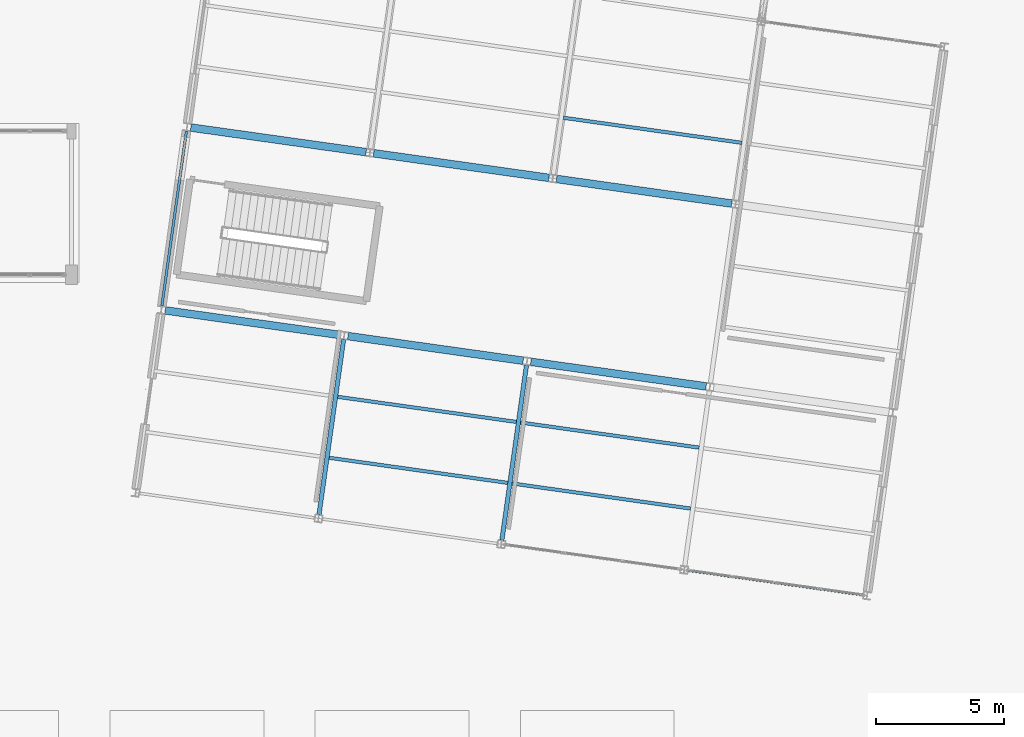
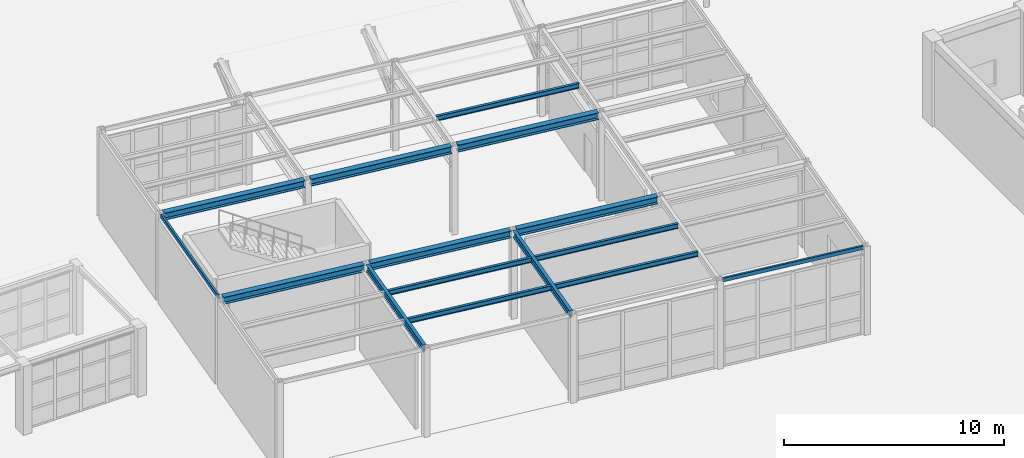
# One storey, part 21 of 57: 15 beams.
"""IFC4 building model written with IfcOpenShell, lengths in metres."""

from ifc_helpers import new_model, si_unit, direction, frame, origin, origin_2d, place, context, subcontext, project, spatial, hollow_rectangle, i_section, extrude, material, material_profile, profile_set, type_object, element, save


model = new_model("IFC4")

# Units and contexts
model_context = context("Model", 3, precision=1e-05, world=origin(), true_north=direction((0.0, 1.0)))
body_context = subcontext(model_context, "Body", "Model", "MODEL_VIEW")
ifc_project = project(units=[si_unit("LENGTHUNIT", "METRE"), si_unit("AREAUNIT", "SQUARE_METRE"), si_unit("VOLUMEUNIT", "CUBIC_METRE"), si_unit("PLANEANGLEUNIT", "RADIAN"), si_unit("MASSUNIT", "GRAM", prefix="KILO")], contexts=[model_context])

# Site, building, storey
site_placement = place(None, origin())
site = spatial("IfcSite", under=ifc_project, at=site_placement, CompositionType="ELEMENT")
building_placement = place(site_placement, origin())
building = spatial("IfcBuilding", under=site, at=building_placement, Name="Kharisveld Research Institute", CompositionType="ELEMENT")
storey_placement = place(building_placement, origin())
storey = spatial("IfcBuildingStorey", under=building, at=storey_placement, Name="L00", CompositionType="ELEMENT", Elevation=0.0)

# Beams
ifc_material_1 = material(Name="Steel S355JR", Category="steel")
ifc_material_profile_1 = material_profile(ifc_material_1, i_section(OverallWidth=0.300048828125, OverallDepth=0.389892578125, WebThickness=0.010986328125, FlangeThickness=0.01904296875, at=origin_2d()))
ifc_profile_set_1 = profile_set([ifc_material_profile_1], Name="Steel S355JR")
beam_type_1 = type_object("IfcBeamType", Name="BM_ST_HEA400", PredefinedType="BEAM", material=ifc_profile_set_1)
for number, where, z_axis, x_axis, name in (
    (1, (76.150634765625, 24.609130859375, 4.72509765625), (0.990264734633, -0.139196822312, 0.0), (0.139196822312, 0.990264734633, 0.0), "BM:V4:L00:U0_1"),
    (2, (83.280517578125, 23.60693359375, 4.72509765625), (0.990269611306, -0.139162124603, 0.0), (0.139162124603, 0.990269611306, 0.0), "BM:V4:L00:U1_1"),
):
    element("IfcBeam", number, at=place(storey_placement, frame(where, z_axis=z_axis, x_axis=x_axis)), inside=storey, type_object=beam_type_1, Name=name, PredefinedType="BEAM", context=body_context, shape_type="SweptSolid", body=[
        extrude(i_section(OverallWidth=0.300048828125, OverallDepth=0.389892578125, WebThickness=0.010986328125, FlangeThickness=0.01904296875, at=origin_2d()), origin(), (0.0, 0.0, 1.0), 6.89990234375),
    ])
for number, where, z_axis, x_axis, name in (
    (3, (90.410400390625, 22.60498046875, 4.72509765625), (0.990270296504, -0.139157248683, 0.0), (0.139157248683, 0.990270296504, 0.0), "BM:V4:L00:U2_1"),
    (4, (77.152587890625, 31.739013671875, 4.72509765625), (0.990270296504, -0.139157248683, 0.0), (0.139157248683, 0.990270296504, 0.0), "BM:V4:L00:U0_2"),
    (5, (84.282470703125, 30.73681640625, 4.72509765625), (0.990270296504, -0.139157248683, 0.0), (0.139157248683, 0.990270296504, 0.0), "BM:V4:L00:U1_2"),
):
    element("IfcBeam", number, at=place(storey_placement, frame(where, z_axis=z_axis, x_axis=x_axis)), inside=storey, type_object=beam_type_1, Name=name, PredefinedType="BEAM", context=body_context, shape_type="SweptSolid", body=[
        extrude(i_section(OverallWidth=0.300048828125, OverallDepth=0.389892578125, WebThickness=0.010986328125, FlangeThickness=0.01904296875, at=origin_2d()), origin(), (0.0, 0.0, 1.0), 6.900146484375),
    ])
beam_placement = place(storey_placement, frame((91.41259765625, 29.73486328125, 4.72509765625), z_axis=(0.990269611306, -0.139162124603, 0.0), x_axis=(0.139162124603, 0.990269611306, 0.0)))
element("IfcBeam", 6, at=beam_placement, inside=storey, type_object=beam_type_1, Name="BM:V4:L00:U2_2", PredefinedType="BEAM", context=body_context, shape_type="SweptSolid", body=[
    extrude(i_section(OverallWidth=0.300048828125, OverallDepth=0.389892578125, WebThickness=0.010986328125, FlangeThickness=0.01904296875, at=origin_2d()), origin(), (0.0, 0.0, 1.0), 6.89990234375),
])
ifc_material_2 = material(Name="Steel S355JR", Category="steel")
ifc_material_profile_2 = material_profile(ifc_material_2, i_section(OverallWidth=0.169921875, OverallDepth=0.360107421875, WebThickness=0.008056640625, FlangeThickness=0.0126953125, at=origin_2d()))
ifc_profile_set_2 = profile_set([ifc_material_profile_2], Name="Steel S355JR")
beam_type_2 = type_object("IfcBeamType", Name="BM_ST_IPE360", PredefinedType="BEAM", material=ifc_profile_set_2)
for number, where, z_axis, x_axis, name in (
    (7, (82.15087890625, 16.646484375, 4.739990234375), (0.139162124603, 0.990269611306, 0.0), (-0.990269611306, 0.139162124603, 0.0), "BM:V4:L00:V1_0"),
    (8, (89.28076171875, 15.64453125, 4.739990234375), (0.139162124603, 0.990269611306, 0.0), (-0.990269611306, 0.139162124603, 0.0), "BM:V4:L00:V2_0"),
):
    element("IfcBeam", number, at=place(storey_placement, frame(where, z_axis=z_axis, x_axis=x_axis)), inside=storey, type_object=beam_type_2, Name=name, PredefinedType="BEAM", context=body_context, shape_type="SweptSolid", body=[
        extrude(i_section(OverallWidth=0.169921875, OverallDepth=0.360107421875, WebThickness=0.008056640625, FlangeThickness=0.0126953125, at=origin_2d()), origin(), (0.0, 0.0, 1.0), 6.89990234375),
    ])
ifc_material_3 = material(Name="Steel S355JR", Category="steel")
ifc_material_profile_3 = material_profile(ifc_material_3, i_section(OverallWidth=0.135009765625, OverallDepth=0.27001953125, WebThickness=0.006591796875, FlangeThickness=0.01025390625, at=origin_2d()))
ifc_profile_set_3 = profile_set([ifc_material_profile_3], Name="Steel S355JR")
beam_type_3 = type_object("IfcBeamType", Name="JS_ST_IPE270", PredefinedType="JOIST", material=ifc_profile_set_3)
for number, where, z_axis, x_axis, name in (
    (9, (82.548095703125, 18.86279296875, 4.784912109375), (0.990265780356, -0.139189382699, 0.0), (0.139189382699, 0.990265780356, 0.0), "BM:V4:L00:J_1_0_R1"),
    (10, (82.882080078125, 21.239501953125, 4.784912109375), (0.990265780356, -0.139189382699, 0.0), (0.139189382699, 0.990265780356, 0.0), "BM:V4:L00:J_1_0_R2"),
    (11, (89.677978515625, 17.86083984375, 4.784912109375), (0.990265780356, -0.139189382699, 0.0), (0.139189382699, 0.990265780356, 0.0), "BM:V4:L00:J_2_0_R1"),
    (12, (90.011962890625, 20.2373046875, 4.784912109375), (0.990270566494, -0.13915532737, 0.0), (0.13915532737, 0.990270566494, 0.0), "BM:V4:L00:J_2_0_R2"),
    (13, (91.68212890625, 32.12060546875, 4.784912109375), (0.990265780356, -0.139189382699, 0.0), (0.139189382699, 0.990265780356, 0.0), "BM:V4:L00:J_2_2_R1"),
):
    element("IfcBeam", number, at=place(storey_placement, frame(where, z_axis=z_axis, x_axis=x_axis)), inside=storey, type_object=beam_type_3, Name=name, PredefinedType="JOIST", context=body_context, shape_type="SweptSolid", body=[
        extrude(i_section(OverallWidth=0.135009765625, OverallDepth=0.27001953125, WebThickness=0.006591796875, FlangeThickness=0.01025390625, at=origin_2d()), origin(), (0.0, 0.0, 1.0), 7.030029296875),
    ])
ifc_material_4 = material(Name="Steel S355J2H", Category="steel")
ifc_material_profile_4 = material_profile(ifc_material_4, hollow_rectangle(XDim=0.10009765625, YDim=0.199951171875, WallThickness=0.008056640625, at=origin_2d()))
ifc_profile_set_4 = profile_set([ifc_material_profile_4], Name="Steel S355J2H")
beam_type_4 = type_object("IfcBeamType", Name="SP_ST_RHS200", PredefinedType="SPANDREL", material=ifc_profile_set_4)
for number, where, z_axis, x_axis, name in (
    (14, (96.538330078125, 14.472900390625, 4.820068359375), (0.990269611306, -0.139162124603, 0.0), (0.139162124603, 0.990269611306, 0.0), "BM:V4:L00:U3_0"),
    (15, (76.02294921875, 24.778564453125, 4.820068359375), (0.139162124603, 0.990269611306, 0.0), (-0.990269611306, 0.139162124603, 0.0), "BM:V4:L00:V0_1"),
):
    element("IfcBeam", number, at=place(storey_placement, frame(where, z_axis=z_axis, x_axis=x_axis)), inside=storey, type_object=beam_type_4, Name=name, PredefinedType="SPANDREL", context=body_context, shape_type="SweptSolid", body=[
        extrude(hollow_rectangle(XDim=0.10009765625, YDim=0.199951171875, WallThickness=0.008056640625, at=origin_2d()), origin(), (0.0, 0.0, 1.0), 6.89990234375),
    ])

save(model, "model.ifc")
